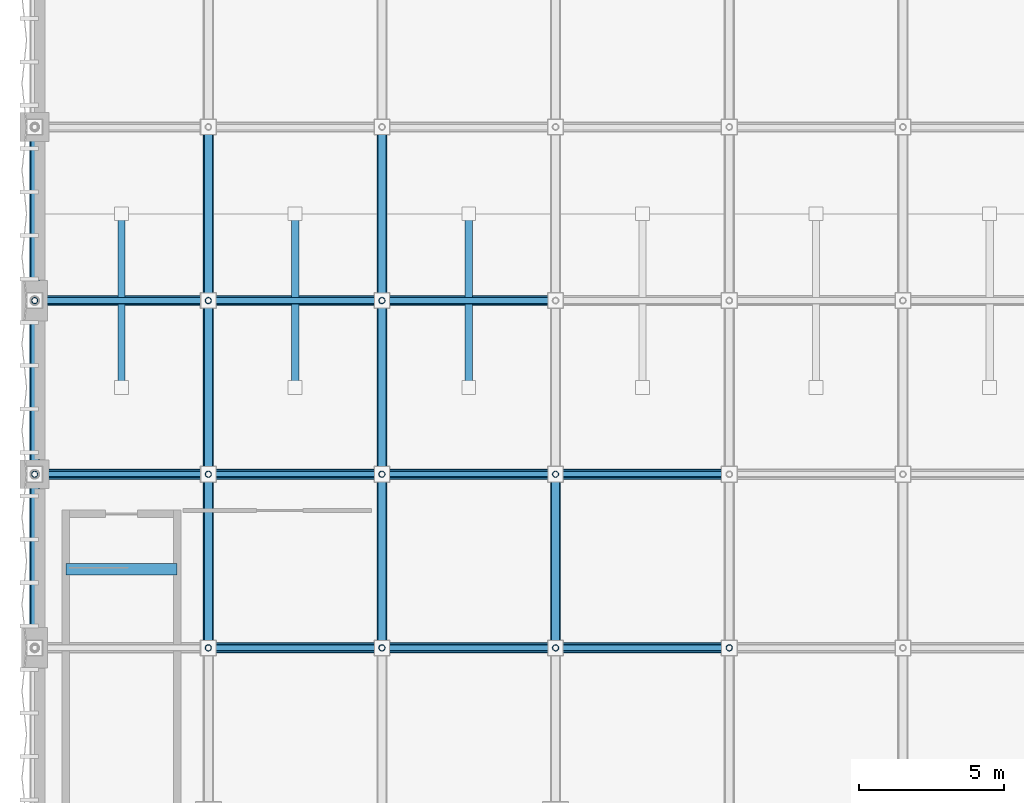
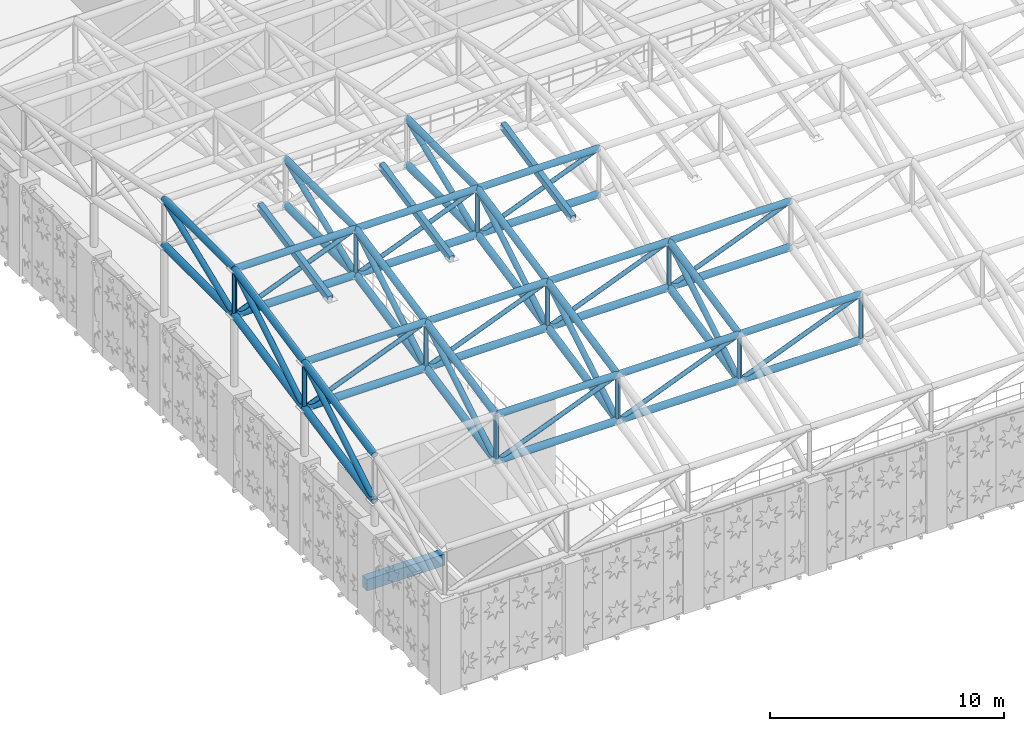
# One storey, part 17 of 112: 74 members, 1 beam.
"""IFC4 building model written with IfcOpenShell, lengths in metres."""

from ifc_helpers import new_model, si_unit, direction, frame, origin, origin_2d, place, context, subcontext, project, spatial, rectangle, hollow_rectangle, hollow_circle, extrude, material, material_profile, profile_set, type_object, element, save


model = new_model("IFC4")

# Units and contexts
model_context = context("Model", 3, precision=1e-05, world=origin(), true_north=direction((0.0, 1.0)))
body_context = subcontext(model_context, "Body", "Model", "MODEL_VIEW")
ifc_project = project(units=[si_unit("LENGTHUNIT", "METRE"), si_unit("AREAUNIT", "SQUARE_METRE"), si_unit("VOLUMEUNIT", "CUBIC_METRE"), si_unit("PLANEANGLEUNIT", "RADIAN"), si_unit("MASSUNIT", "GRAM", prefix="KILO"), si_unit("THERMODYNAMICTEMPERATUREUNIT", "KELVIN"), si_unit("POWERUNIT", "WATT")], contexts=[model_context])

# Site, building, storey
site_placement = place(None, origin())
site = spatial("IfcSite", under=ifc_project, at=site_placement, CompositionType="ELEMENT")
building_placement = place(site_placement, origin())
building = spatial("IfcBuilding", under=site, at=building_placement, Name="Phaisarnlok Congress Hotel", CompositionType="ELEMENT")
storey_placement = place(building_placement, frame((0.0, 0.0, 19.800048828125)))
storey = spatial("IfcBuildingStorey", under=building, at=storey_placement, Name="L04", CompositionType="ELEMENT", Elevation=19.800048828125)

# Beam
ifc_material_1 = material(Name="Concrete C40/50", Category="concrete")
ifc_material_profile_1 = material_profile(ifc_material_1, rectangle(XDim=0.39990234375, YDim=0.60009765625, at=origin_2d()), Name="RC 400x600")
ifc_profile_set_1 = profile_set([ifc_material_profile_1], Name="Concrete C40/50")
beam_type = type_object("IfcBeamType", Name="BM-RC-400x600", PredefinedType="BEAM", material=ifc_profile_set_1)
beam_placement = place(storey_placement, frame((1.080078125, 50.719970703125, -0.300048828125), z_axis=(1.0, 0.0, 0.0), x_axis=(0.0, 1.0, 0.0)))
element("IfcBeam", 1, at=beam_placement, inside=storey, type_object=beam_type, Name="Stair landing header beam B-02 (STAIR-W L04)", PredefinedType="BEAM", context=body_context, shape_type="SweptSolid", body=[
    extrude(rectangle(XDim=0.39990234375, YDim=0.60009765625, at=origin_2d()), origin(), (0.0, 0.0, 1.0), 3.83984375),
])

# Members
ifc_material_2 = material(Name="Steel S355", Category="steel")
ifc_material_profile_2 = material_profile(ifc_material_2, hollow_circle(Radius=0.109619140625, WallThickness=0.012451171875, at=origin_2d()), Name="CHS 219.1x12.5")
ifc_profile_set_2 = profile_set([ifc_material_profile_2], Name="Steel S355")
member_type_1 = type_object("IfcMemberType", Name="MEM-BRC-CHS219", PredefinedType="BRACE", material=ifc_profile_set_2)
member_1_placement = place(storey_placement, frame((0.0, 54.0, 7.241455078125), z_axis=(0.0, 0.0, 1.0), x_axis=(1.0, 0.0, 0.0)))
element("IfcMember", 2, at=member_1_placement, inside=storey, type_object=member_type_1, Name="Congress Hall space frame vertical brace TB-02", PredefinedType="BRACE", context=body_context, shape_type="SweptSolid", body=[
    extrude(hollow_circle(Radius=0.109619140625, WallThickness=0.012451171875, at=origin_2d()), origin(), (0.0, 0.0, 1.0), 2.39990234375),
])
member_2_placement = place(storey_placement, frame((0.0, 54.0, 7.241455078125), z_axis=(0.928481901832, 0.0, 0.371377648723), x_axis=(0.0, 1.0, 0.0)))
element("IfcMember", 3, at=member_2_placement, inside=storey, type_object=member_type_1, Name="Congress Hall space frame web diagonal TB-02", PredefinedType="BRACE", context=body_context, shape_type="SweptSolid", body=[
    extrude(hollow_circle(Radius=0.109619140625, WallThickness=0.012451171875, at=origin_2d()), origin(), (0.0, 0.0, 1.0), 6.462158203125),
])
member_3_placement = place(storey_placement, frame((0.0, 60.0, 8.462158203125), z_axis=(0.0, 0.0, 1.0), x_axis=(1.0, 0.0, 0.0)))
element("IfcMember", 4, at=member_3_placement, inside=storey, type_object=member_type_1, Name="Congress Hall space frame vertical brace TB-02", PredefinedType="BRACE", context=body_context, shape_type="SweptSolid", body=[
    extrude(hollow_circle(Radius=0.109619140625, WallThickness=0.012451171875, at=origin_2d()), origin(), (0.0, 0.0, 1.0), 2.39990234375),
])
member_4_placement = place(storey_placement, frame((0.0, 60.0, 8.462158203125), z_axis=(0.928481901832, 0.0, 0.371377648723), x_axis=(0.0, 1.0, 0.0)))
element("IfcMember", 5, at=member_4_placement, inside=storey, type_object=member_type_1, Name="Congress Hall space frame web diagonal TB-02", PredefinedType="BRACE", context=body_context, shape_type="SweptSolid", body=[
    extrude(hollow_circle(Radius=0.109619140625, WallThickness=0.012451171875, at=origin_2d()), origin(), (0.0, 0.0, 1.0), 6.462158203125),
])
member_5_placement = place(storey_placement, frame((6.0, 48.0, 6.020751953125), z_axis=(0.0, 0.0, 1.0), x_axis=(1.0, 0.0, 0.0)))
element("IfcMember", 6, at=member_5_placement, inside=storey, type_object=member_type_1, Name="Congress Hall space frame vertical brace TB-02", PredefinedType="BRACE", context=body_context, shape_type="SweptSolid", body=[
    extrude(hollow_circle(Radius=0.109619140625, WallThickness=0.012451171875, at=origin_2d()), origin(), (0.0, 0.0, 1.0), 2.39990234375),
])
member_6_placement = place(storey_placement, frame((6.0, 48.0, 6.020751953125), z_axis=(0.928481901832, 0.0, 0.371377648723), x_axis=(0.0, 1.0, 0.0)))
element("IfcMember", 7, at=member_6_placement, inside=storey, type_object=member_type_1, Name="Congress Hall space frame web diagonal TB-02", PredefinedType="BRACE", context=body_context, shape_type="SweptSolid", body=[
    extrude(hollow_circle(Radius=0.109619140625, WallThickness=0.012451171875, at=origin_2d()), origin(), (0.0, 0.0, 1.0), 6.462158203125),
])
member_7_placement = place(storey_placement, frame((6.0, 54.0, 7.241455078125), z_axis=(0.0, 0.0, 1.0), x_axis=(1.0, 0.0, 0.0)))
element("IfcMember", 8, at=member_7_placement, inside=storey, type_object=member_type_1, Name="Congress Hall space frame vertical brace TB-02", PredefinedType="BRACE", context=body_context, shape_type="SweptSolid", body=[
    extrude(hollow_circle(Radius=0.109619140625, WallThickness=0.012451171875, at=origin_2d()), origin(), (0.0, 0.0, 1.0), 2.39990234375),
])
member_8_placement = place(storey_placement, frame((6.0, 54.0, 7.241455078125), z_axis=(0.928481901832, 0.0, 0.371377648723), x_axis=(0.0, 1.0, 0.0)))
element("IfcMember", 9, at=member_8_placement, inside=storey, type_object=member_type_1, Name="Congress Hall space frame web diagonal TB-02", PredefinedType="BRACE", context=body_context, shape_type="SweptSolid", body=[
    extrude(hollow_circle(Radius=0.109619140625, WallThickness=0.012451171875, at=origin_2d()), origin(), (0.0, 0.0, 1.0), 6.462158203125),
])
member_9_placement = place(storey_placement, frame((6.0, 60.0, 8.462158203125), z_axis=(0.0, 0.0, 1.0), x_axis=(1.0, 0.0, 0.0)))
element("IfcMember", 10, at=member_9_placement, inside=storey, type_object=member_type_1, Name="Congress Hall space frame vertical brace TB-02", PredefinedType="BRACE", context=body_context, shape_type="SweptSolid", body=[
    extrude(hollow_circle(Radius=0.109619140625, WallThickness=0.012451171875, at=origin_2d()), origin(), (0.0, 0.0, 1.0), 2.39990234375),
])
member_10_placement = place(storey_placement, frame((6.0, 60.0, 8.462158203125), z_axis=(0.928481901832, 0.0, 0.371377648723), x_axis=(0.0, 1.0, 0.0)))
element("IfcMember", 11, at=member_10_placement, inside=storey, type_object=member_type_1, Name="Congress Hall space frame web diagonal TB-02", PredefinedType="BRACE", context=body_context, shape_type="SweptSolid", body=[
    extrude(hollow_circle(Radius=0.109619140625, WallThickness=0.012451171875, at=origin_2d()), origin(), (0.0, 0.0, 1.0), 6.462158203125),
])
member_11_placement = place(storey_placement, frame((12.0, 48.0, 6.020751953125), z_axis=(0.0, 0.0, 1.0), x_axis=(1.0, 0.0, 0.0)))
element("IfcMember", 12, at=member_11_placement, inside=storey, type_object=member_type_1, Name="Congress Hall space frame vertical brace TB-02", PredefinedType="BRACE", context=body_context, shape_type="SweptSolid", body=[
    extrude(hollow_circle(Radius=0.109619140625, WallThickness=0.012451171875, at=origin_2d()), origin(), (0.0, 0.0, 1.0), 2.39990234375),
])
member_12_placement = place(storey_placement, frame((12.0, 48.0, 6.020751953125), z_axis=(0.928481901832, 0.0, 0.371377648723), x_axis=(0.0, 1.0, 0.0)))
element("IfcMember", 13, at=member_12_placement, inside=storey, type_object=member_type_1, Name="Congress Hall space frame web diagonal TB-02", PredefinedType="BRACE", context=body_context, shape_type="SweptSolid", body=[
    extrude(hollow_circle(Radius=0.109619140625, WallThickness=0.012451171875, at=origin_2d()), origin(), (0.0, 0.0, 1.0), 6.462158203125),
])
member_13_placement = place(storey_placement, frame((12.0, 54.0, 7.241455078125), z_axis=(0.0, 0.0, 1.0), x_axis=(1.0, 0.0, 0.0)))
element("IfcMember", 14, at=member_13_placement, inside=storey, type_object=member_type_1, Name="Congress Hall space frame vertical brace TB-02", PredefinedType="BRACE", context=body_context, shape_type="SweptSolid", body=[
    extrude(hollow_circle(Radius=0.109619140625, WallThickness=0.012451171875, at=origin_2d()), origin(), (0.0, 0.0, 1.0), 2.39990234375),
])
member_14_placement = place(storey_placement, frame((12.0, 54.0, 7.241455078125), z_axis=(0.928481901832, 0.0, 0.371377648723), x_axis=(0.0, 1.0, 0.0)))
element("IfcMember", 15, at=member_14_placement, inside=storey, type_object=member_type_1, Name="Congress Hall space frame web diagonal TB-02", PredefinedType="BRACE", context=body_context, shape_type="SweptSolid", body=[
    extrude(hollow_circle(Radius=0.109619140625, WallThickness=0.012451171875, at=origin_2d()), origin(), (0.0, 0.0, 1.0), 6.462158203125),
])
member_15_placement = place(storey_placement, frame((12.0, 60.0, 8.462158203125), z_axis=(0.0, 0.0, 1.0), x_axis=(1.0, 0.0, 0.0)))
element("IfcMember", 16, at=member_15_placement, inside=storey, type_object=member_type_1, Name="Congress Hall space frame vertical brace TB-02", PredefinedType="BRACE", context=body_context, shape_type="SweptSolid", body=[
    extrude(hollow_circle(Radius=0.109619140625, WallThickness=0.012451171875, at=origin_2d()), origin(), (0.0, 0.0, 1.0), 2.39990234375),
])
member_16_placement = place(storey_placement, frame((12.0, 60.0, 8.462158203125), z_axis=(0.928481901832, 0.0, 0.371377648723), x_axis=(0.0, 1.0, 0.0)))
element("IfcMember", 17, at=member_16_placement, inside=storey, type_object=member_type_1, Name="Congress Hall space frame web diagonal TB-02", PredefinedType="BRACE", context=body_context, shape_type="SweptSolid", body=[
    extrude(hollow_circle(Radius=0.109619140625, WallThickness=0.012451171875, at=origin_2d()), origin(), (0.0, 0.0, 1.0), 6.462158203125),
])
member_17_placement = place(storey_placement, frame((18.0, 48.0, 6.020751953125), z_axis=(0.0, 0.0, 1.0), x_axis=(1.0, 0.0, 0.0)))
element("IfcMember", 18, at=member_17_placement, inside=storey, type_object=member_type_1, Name="Congress Hall space frame vertical brace TB-02", PredefinedType="BRACE", context=body_context, shape_type="SweptSolid", body=[
    extrude(hollow_circle(Radius=0.109619140625, WallThickness=0.012451171875, at=origin_2d()), origin(), (0.0, 0.0, 1.0), 2.39990234375),
])
member_18_placement = place(storey_placement, frame((18.0, 48.0, 6.020751953125), z_axis=(0.928481901832, 0.0, 0.371377648723), x_axis=(0.0, 1.0, 0.0)))
element("IfcMember", 19, at=member_18_placement, inside=storey, type_object=member_type_1, Name="Congress Hall space frame web diagonal TB-02", PredefinedType="BRACE", context=body_context, shape_type="SweptSolid", body=[
    extrude(hollow_circle(Radius=0.109619140625, WallThickness=0.012451171875, at=origin_2d()), origin(), (0.0, 0.0, 1.0), 6.462158203125),
])
member_19_placement = place(storey_placement, frame((18.0, 54.0, 7.241455078125), z_axis=(0.0, 0.0, 1.0), x_axis=(1.0, 0.0, 0.0)))
element("IfcMember", 20, at=member_19_placement, inside=storey, type_object=member_type_1, Name="Congress Hall space frame vertical brace TB-02", PredefinedType="BRACE", context=body_context, shape_type="SweptSolid", body=[
    extrude(hollow_circle(Radius=0.109619140625, WallThickness=0.012451171875, at=origin_2d()), origin(), (0.0, 0.0, 1.0), 2.39990234375),
])
member_20_placement = place(storey_placement, frame((18.0, 54.0, 7.241455078125), z_axis=(0.928481901832, 0.0, 0.371377648723), x_axis=(0.0, 1.0, 0.0)))
element("IfcMember", 21, at=member_20_placement, inside=storey, type_object=member_type_1, Name="Congress Hall space frame web diagonal TB-02", PredefinedType="BRACE", context=body_context, shape_type="SweptSolid", body=[
    extrude(hollow_circle(Radius=0.109619140625, WallThickness=0.012451171875, at=origin_2d()), origin(), (0.0, 0.0, 1.0), 6.462158203125),
])
member_21_placement = place(storey_placement, frame((24.0, 48.0, 6.020751953125), z_axis=(0.0, 0.0, 1.0), x_axis=(1.0, 0.0, 0.0)))
element("IfcMember", 22, at=member_21_placement, inside=storey, type_object=member_type_1, Name="Congress Hall space frame vertical brace TB-02", PredefinedType="BRACE", context=body_context, shape_type="SweptSolid", body=[
    extrude(hollow_circle(Radius=0.109619140625, WallThickness=0.012451171875, at=origin_2d()), origin(), (0.0, 0.0, 1.0), 2.39990234375),
])
ifc_material_profile_3 = material_profile(ifc_material_2, hollow_circle(Radius=0.136474609375, WallThickness=0.01611328125, at=origin_2d()), Name="CHS 273x16")
ifc_profile_set_3 = profile_set([ifc_material_profile_3], Name="Steel S355")
member_type_2 = type_object("IfcMemberType", Name="MEM-BRC-CHS273", PredefinedType="BRACE", material=ifc_profile_set_3)
for number, where, z_axis, x_axis, name in (
    (23, (0.0, 48.0, 6.020751953125), (0.0, 0.856192975252, 0.516656161417), (-1.0, 0.0, 0.0), "Congress Hall space frame raking brace TB-03"),
    (24, (0.0, 54.0, 7.241455078125), (0.0, 0.856192975252, 0.516656161417), (-1.0, 0.0, 0.0), "Congress Hall space frame raking brace TB-03"),
):
    element("IfcMember", number, at=place(storey_placement, frame(where, z_axis=z_axis, x_axis=x_axis)), inside=storey, type_object=member_type_2, Name=name, PredefinedType="BRACE", context=body_context, shape_type="SweptSolid", body=[
        extrude(hollow_circle(Radius=0.136474609375, WallThickness=0.01611328125, at=origin_2d()), origin(), (0.0, 0.0, 1.0), 7.0078125),
    ])
member_22_placement = place(storey_placement, frame((0.0, 60.0, 8.462158203125), z_axis=(0.0, 0.928481901832, 0.371377648723), x_axis=(-1.0, 0.0, 0.0)))
element("IfcMember", 25, at=member_22_placement, inside=storey, type_object=member_type_2, Name="Congress Hall space frame raking brace TB-03", PredefinedType="BRACE", context=body_context, shape_type="SweptSolid", body=[
    extrude(hollow_circle(Radius=0.136474609375, WallThickness=0.01611328125, at=origin_2d()), origin(), (0.0, 0.0, 1.0), 6.462158203125),
])
for number, where, z_axis, x_axis, name in (
    (26, (6.0, 48.0, 6.020751953125), (0.0, 0.856192975252, 0.516656161417), (-1.0, 0.0, 0.0), "Congress Hall space frame raking brace TB-03"),
    (27, (6.0, 54.0, 7.241455078125), (0.0, 0.856192975252, 0.516656161417), (-1.0, 0.0, 0.0), "Congress Hall space frame raking brace TB-03"),
):
    element("IfcMember", number, at=place(storey_placement, frame(where, z_axis=z_axis, x_axis=x_axis)), inside=storey, type_object=member_type_2, Name=name, PredefinedType="BRACE", context=body_context, shape_type="SweptSolid", body=[
        extrude(hollow_circle(Radius=0.136474609375, WallThickness=0.01611328125, at=origin_2d()), origin(), (0.0, 0.0, 1.0), 7.0078125),
    ])
member_23_placement = place(storey_placement, frame((6.0, 60.0, 8.462158203125), z_axis=(0.0, 0.928481901832, 0.371377648723), x_axis=(-1.0, 0.0, 0.0)))
element("IfcMember", 28, at=member_23_placement, inside=storey, type_object=member_type_2, Name="Congress Hall space frame raking brace TB-03", PredefinedType="BRACE", context=body_context, shape_type="SweptSolid", body=[
    extrude(hollow_circle(Radius=0.136474609375, WallThickness=0.01611328125, at=origin_2d()), origin(), (0.0, 0.0, 1.0), 6.462158203125),
])
for number, where, z_axis, x_axis, name in (
    (29, (12.0, 48.0, 6.020751953125), (0.0, 0.856192975252, 0.516656161417), (-1.0, 0.0, 0.0), "Congress Hall space frame raking brace TB-03"),
    (30, (12.0, 54.0, 7.241455078125), (0.0, 0.856192975252, 0.516656161417), (-1.0, 0.0, 0.0), "Congress Hall space frame raking brace TB-03"),
):
    element("IfcMember", number, at=place(storey_placement, frame(where, z_axis=z_axis, x_axis=x_axis)), inside=storey, type_object=member_type_2, Name=name, PredefinedType="BRACE", context=body_context, shape_type="SweptSolid", body=[
        extrude(hollow_circle(Radius=0.136474609375, WallThickness=0.01611328125, at=origin_2d()), origin(), (0.0, 0.0, 1.0), 7.0078125),
    ])
member_24_placement = place(storey_placement, frame((12.0, 60.0, 8.462158203125), z_axis=(0.0, 0.928481901832, 0.371377648723), x_axis=(-1.0, 0.0, 0.0)))
element("IfcMember", 31, at=member_24_placement, inside=storey, type_object=member_type_2, Name="Congress Hall space frame raking brace TB-03", PredefinedType="BRACE", context=body_context, shape_type="SweptSolid", body=[
    extrude(hollow_circle(Radius=0.136474609375, WallThickness=0.01611328125, at=origin_2d()), origin(), (0.0, 0.0, 1.0), 6.462158203125),
])
member_25_placement = place(storey_placement, frame((18.0, 48.0, 6.020751953125), z_axis=(0.0, 0.856192975252, 0.516656161417), x_axis=(-1.0, 0.0, 0.0)))
element("IfcMember", 32, at=member_25_placement, inside=storey, type_object=member_type_2, Name="Congress Hall space frame raking brace TB-03", PredefinedType="BRACE", context=body_context, shape_type="SweptSolid", body=[
    extrude(hollow_circle(Radius=0.136474609375, WallThickness=0.01611328125, at=origin_2d()), origin(), (0.0, 0.0, 1.0), 7.0078125),
])
ifc_material_profile_4 = material_profile(ifc_material_2, hollow_circle(Radius=0.161865234375, WallThickness=0.01611328125, at=origin_2d()), Name="CHS 323.9x16")
ifc_profile_set_4 = profile_set([ifc_material_profile_4], Name="Steel S355")
member_type_3 = type_object("IfcMemberType", Name="MEM-CHD-CHS324", PredefinedType="CHORD", material=ifc_profile_set_4)
member_26_placement = place(storey_placement, frame((0.0, 48.0, 8.420654296875), z_axis=(0.0, 0.979925045119, 0.199366260807), x_axis=(-1.0, 0.0, 0.0)))
element("IfcMember", 33, at=member_26_placement, inside=storey, type_object=member_type_3, Name="Congress Hall space frame top chord TC-02", PredefinedType="CHORD", context=body_context, shape_type="SweptSolid", body=[
    extrude(hollow_circle(Radius=0.161865234375, WallThickness=0.01611328125, at=origin_2d()), origin(), (0.0, 0.0, 1.0), 6.122802734375),
])
member_27_placement = place(storey_placement, frame((0.0, 54.0, 9.641357421875), z_axis=(1.0, 0.0, 0.0), x_axis=(0.0, 1.0, 0.0)))
element("IfcMember", 34, at=member_27_placement, inside=storey, type_object=member_type_3, Name="Congress Hall space frame top chord TC-02", PredefinedType="CHORD", context=body_context, shape_type="SweptSolid", body=[
    extrude(hollow_circle(Radius=0.161865234375, WallThickness=0.01611328125, at=origin_2d()), origin(), (0.0, 0.0, 1.0), 6.0),
])
member_28_placement = place(storey_placement, frame((0.0, 54.0, 9.641357421875), z_axis=(0.0, 0.979925045119, 0.199366260807), x_axis=(-1.0, 0.0, 0.0)))
element("IfcMember", 35, at=member_28_placement, inside=storey, type_object=member_type_3, Name="Congress Hall space frame top chord TC-02", PredefinedType="CHORD", context=body_context, shape_type="SweptSolid", body=[
    extrude(hollow_circle(Radius=0.161865234375, WallThickness=0.01611328125, at=origin_2d()), origin(), (0.0, 0.0, 1.0), 6.122802734375),
])
for number, where, z_axis, x_axis, name in (
    (36, (0.0, 60.0, 10.862060546875), (1.0, 0.0, 0.0), (0.0, 1.0, 0.0), "Congress Hall space frame top chord TC-02"),
    (37, (0.0, 60.0, 10.862060546875), (0.0, 1.0, 0.0), (-1.0, 0.0, 0.0), "Congress Hall space frame top chord TC-02"),
    (38, (6.0, 48.0, 8.420654296875), (1.0, 0.0, 0.0), (0.0, 1.0, 0.0), "Congress Hall space frame top chord TC-02"),
):
    element("IfcMember", number, at=place(storey_placement, frame(where, z_axis=z_axis, x_axis=x_axis)), inside=storey, type_object=member_type_3, Name=name, PredefinedType="CHORD", context=body_context, shape_type="SweptSolid", body=[
        extrude(hollow_circle(Radius=0.161865234375, WallThickness=0.01611328125, at=origin_2d()), origin(), (0.0, 0.0, 1.0), 6.0),
    ])
member_29_placement = place(storey_placement, frame((6.0, 48.0, 8.420654296875), z_axis=(0.0, 0.979925045119, 0.199366260807), x_axis=(-1.0, 0.0, 0.0)))
element("IfcMember", 39, at=member_29_placement, inside=storey, type_object=member_type_3, Name="Congress Hall space frame top chord TC-02", PredefinedType="CHORD", context=body_context, shape_type="SweptSolid", body=[
    extrude(hollow_circle(Radius=0.161865234375, WallThickness=0.01611328125, at=origin_2d()), origin(), (0.0, 0.0, 1.0), 6.122802734375),
])
member_30_placement = place(storey_placement, frame((6.0, 54.0, 9.641357421875), z_axis=(1.0, 0.0, 0.0), x_axis=(0.0, 1.0, 0.0)))
element("IfcMember", 40, at=member_30_placement, inside=storey, type_object=member_type_3, Name="Congress Hall space frame top chord TC-02", PredefinedType="CHORD", context=body_context, shape_type="SweptSolid", body=[
    extrude(hollow_circle(Radius=0.161865234375, WallThickness=0.01611328125, at=origin_2d()), origin(), (0.0, 0.0, 1.0), 6.0),
])
member_31_placement = place(storey_placement, frame((6.0, 54.0, 9.641357421875), z_axis=(0.0, 0.979925045119, 0.199366260807), x_axis=(-1.0, 0.0, 0.0)))
element("IfcMember", 41, at=member_31_placement, inside=storey, type_object=member_type_3, Name="Congress Hall space frame top chord TC-02", PredefinedType="CHORD", context=body_context, shape_type="SweptSolid", body=[
    extrude(hollow_circle(Radius=0.161865234375, WallThickness=0.01611328125, at=origin_2d()), origin(), (0.0, 0.0, 1.0), 6.122802734375),
])
for number, where, z_axis, x_axis, name in (
    (42, (6.0, 60.0, 10.862060546875), (1.0, 0.0, 0.0), (0.0, 1.0, 0.0), "Congress Hall space frame top chord TC-02"),
    (43, (6.0, 60.0, 10.862060546875), (0.0, 1.0, 0.0), (-1.0, 0.0, 0.0), "Congress Hall space frame top chord TC-02"),
    (44, (12.0, 48.0, 8.420654296875), (1.0, 0.0, 0.0), (0.0, 1.0, 0.0), "Congress Hall space frame top chord TC-02"),
):
    element("IfcMember", number, at=place(storey_placement, frame(where, z_axis=z_axis, x_axis=x_axis)), inside=storey, type_object=member_type_3, Name=name, PredefinedType="CHORD", context=body_context, shape_type="SweptSolid", body=[
        extrude(hollow_circle(Radius=0.161865234375, WallThickness=0.01611328125, at=origin_2d()), origin(), (0.0, 0.0, 1.0), 6.0),
    ])
member_32_placement = place(storey_placement, frame((12.0, 48.0, 8.420654296875), z_axis=(0.0, 0.979925045119, 0.199366260807), x_axis=(-1.0, 0.0, 0.0)))
element("IfcMember", 45, at=member_32_placement, inside=storey, type_object=member_type_3, Name="Congress Hall space frame top chord TC-02", PredefinedType="CHORD", context=body_context, shape_type="SweptSolid", body=[
    extrude(hollow_circle(Radius=0.161865234375, WallThickness=0.01611328125, at=origin_2d()), origin(), (0.0, 0.0, 1.0), 6.122802734375),
])
member_33_placement = place(storey_placement, frame((12.0, 54.0, 9.641357421875), z_axis=(1.0, 0.0, 0.0), x_axis=(0.0, 1.0, 0.0)))
element("IfcMember", 46, at=member_33_placement, inside=storey, type_object=member_type_3, Name="Congress Hall space frame top chord TC-02", PredefinedType="CHORD", context=body_context, shape_type="SweptSolid", body=[
    extrude(hollow_circle(Radius=0.161865234375, WallThickness=0.01611328125, at=origin_2d()), origin(), (0.0, 0.0, 1.0), 6.0),
])
member_34_placement = place(storey_placement, frame((12.0, 54.0, 9.641357421875), z_axis=(0.0, 0.979925045119, 0.199366260807), x_axis=(-1.0, 0.0, 0.0)))
element("IfcMember", 47, at=member_34_placement, inside=storey, type_object=member_type_3, Name="Congress Hall space frame top chord TC-02", PredefinedType="CHORD", context=body_context, shape_type="SweptSolid", body=[
    extrude(hollow_circle(Radius=0.161865234375, WallThickness=0.01611328125, at=origin_2d()), origin(), (0.0, 0.0, 1.0), 6.122802734375),
])
for number, where, z_axis, x_axis, name in (
    (48, (12.0, 60.0, 10.862060546875), (1.0, 0.0, 0.0), (0.0, 1.0, 0.0), "Congress Hall space frame top chord TC-02"),
    (49, (12.0, 60.0, 10.862060546875), (0.0, 1.0, 0.0), (-1.0, 0.0, 0.0), "Congress Hall space frame top chord TC-02"),
    (50, (18.0, 48.0, 8.420654296875), (1.0, 0.0, 0.0), (0.0, 1.0, 0.0), "Congress Hall space frame top chord TC-02"),
):
    element("IfcMember", number, at=place(storey_placement, frame(where, z_axis=z_axis, x_axis=x_axis)), inside=storey, type_object=member_type_3, Name=name, PredefinedType="CHORD", context=body_context, shape_type="SweptSolid", body=[
        extrude(hollow_circle(Radius=0.161865234375, WallThickness=0.01611328125, at=origin_2d()), origin(), (0.0, 0.0, 1.0), 6.0),
    ])
member_35_placement = place(storey_placement, frame((18.0, 48.0, 8.420654296875), z_axis=(0.0, 0.979925045119, 0.199366260807), x_axis=(-1.0, 0.0, 0.0)))
element("IfcMember", 51, at=member_35_placement, inside=storey, type_object=member_type_3, Name="Congress Hall space frame top chord TC-02", PredefinedType="CHORD", context=body_context, shape_type="SweptSolid", body=[
    extrude(hollow_circle(Radius=0.161865234375, WallThickness=0.01611328125, at=origin_2d()), origin(), (0.0, 0.0, 1.0), 6.122802734375),
])
member_36_placement = place(storey_placement, frame((18.0, 54.0, 9.641357421875), z_axis=(1.0, 0.0, 0.0), x_axis=(0.0, 1.0, 0.0)))
element("IfcMember", 52, at=member_36_placement, inside=storey, type_object=member_type_3, Name="Congress Hall space frame top chord TC-02", PredefinedType="CHORD", context=body_context, shape_type="SweptSolid", body=[
    extrude(hollow_circle(Radius=0.161865234375, WallThickness=0.01611328125, at=origin_2d()), origin(), (0.0, 0.0, 1.0), 6.0),
])
ifc_material_profile_5 = material_profile(ifc_material_2, hollow_circle(Radius=0.177734375, WallThickness=0.02001953125, at=origin_2d()), Name="CHS 355.6x20")
ifc_profile_set_5 = profile_set([ifc_material_profile_5], Name="Steel S355")
member_type_4 = type_object("IfcMemberType", Name="MEM-CHD-CHS356", PredefinedType="CHORD", material=ifc_profile_set_5)
member_37_placement = place(storey_placement, frame((0.0, 48.0, 6.020751953125), z_axis=(0.0, 0.979925045119, 0.199366260807), x_axis=(-1.0, 0.0, 0.0)))
element("IfcMember", 53, at=member_37_placement, inside=storey, type_object=member_type_4, Name="Congress Hall space frame bottom chord TC-01", PredefinedType="CHORD", context=body_context, shape_type="SweptSolid", body=[
    extrude(hollow_circle(Radius=0.177734375, WallThickness=0.02001953125, at=origin_2d()), origin(), (0.0, 0.0, 1.0), 6.122802734375),
])
member_38_placement = place(storey_placement, frame((0.0, 54.0, 7.241455078125), z_axis=(1.0, 0.0, 0.0), x_axis=(0.0, 1.0, 0.0)))
element("IfcMember", 54, at=member_38_placement, inside=storey, type_object=member_type_4, Name="Congress Hall space frame bottom chord TC-01", PredefinedType="CHORD", context=body_context, shape_type="SweptSolid", body=[
    extrude(hollow_circle(Radius=0.177734375, WallThickness=0.02001953125, at=origin_2d()), origin(), (0.0, 0.0, 1.0), 6.0),
])
member_39_placement = place(storey_placement, frame((0.0, 54.0, 7.241455078125), z_axis=(0.0, 0.979925045119, 0.199366260807), x_axis=(-1.0, 0.0, 0.0)))
element("IfcMember", 55, at=member_39_placement, inside=storey, type_object=member_type_4, Name="Congress Hall space frame bottom chord TC-01", PredefinedType="CHORD", context=body_context, shape_type="SweptSolid", body=[
    extrude(hollow_circle(Radius=0.177734375, WallThickness=0.02001953125, at=origin_2d()), origin(), (0.0, 0.0, 1.0), 6.122802734375),
])
for number, where, z_axis, x_axis, name in (
    (56, (0.0, 60.0, 8.462158203125), (1.0, 0.0, 0.0), (0.0, 1.0, 0.0), "Congress Hall space frame bottom chord TC-01"),
    (57, (0.0, 60.0, 8.462158203125), (0.0, 1.0, 0.0), (-1.0, 0.0, 0.0), "Congress Hall space frame bottom chord TC-01"),
    (58, (6.0, 48.0, 6.020751953125), (1.0, 0.0, 0.0), (0.0, 1.0, 0.0), "Congress Hall space frame bottom chord TC-01"),
):
    element("IfcMember", number, at=place(storey_placement, frame(where, z_axis=z_axis, x_axis=x_axis)), inside=storey, type_object=member_type_4, Name=name, PredefinedType="CHORD", context=body_context, shape_type="SweptSolid", body=[
        extrude(hollow_circle(Radius=0.177734375, WallThickness=0.02001953125, at=origin_2d()), origin(), (0.0, 0.0, 1.0), 6.0),
    ])
member_40_placement = place(storey_placement, frame((6.0, 48.0, 6.020751953125), z_axis=(0.0, 0.979925045119, 0.199366260807), x_axis=(-1.0, 0.0, 0.0)))
element("IfcMember", 59, at=member_40_placement, inside=storey, type_object=member_type_4, Name="Congress Hall space frame bottom chord TC-01", PredefinedType="CHORD", context=body_context, shape_type="SweptSolid", body=[
    extrude(hollow_circle(Radius=0.177734375, WallThickness=0.02001953125, at=origin_2d()), origin(), (0.0, 0.0, 1.0), 6.122802734375),
])
member_41_placement = place(storey_placement, frame((6.0, 54.0, 7.241455078125), z_axis=(1.0, 0.0, 0.0), x_axis=(0.0, 1.0, 0.0)))
element("IfcMember", 60, at=member_41_placement, inside=storey, type_object=member_type_4, Name="Congress Hall space frame bottom chord TC-01", PredefinedType="CHORD", context=body_context, shape_type="SweptSolid", body=[
    extrude(hollow_circle(Radius=0.177734375, WallThickness=0.02001953125, at=origin_2d()), origin(), (0.0, 0.0, 1.0), 6.0),
])
member_42_placement = place(storey_placement, frame((6.0, 54.0, 7.241455078125), z_axis=(0.0, 0.979925045119, 0.199366260807), x_axis=(-1.0, 0.0, 0.0)))
element("IfcMember", 61, at=member_42_placement, inside=storey, type_object=member_type_4, Name="Congress Hall space frame bottom chord TC-01", PredefinedType="CHORD", context=body_context, shape_type="SweptSolid", body=[
    extrude(hollow_circle(Radius=0.177734375, WallThickness=0.02001953125, at=origin_2d()), origin(), (0.0, 0.0, 1.0), 6.122802734375),
])
for number, where, z_axis, x_axis, name in (
    (62, (6.0, 60.0, 8.462158203125), (1.0, 0.0, 0.0), (0.0, 1.0, 0.0), "Congress Hall space frame bottom chord TC-01"),
    (63, (6.0, 60.0, 8.462158203125), (0.0, 1.0, 0.0), (-1.0, 0.0, 0.0), "Congress Hall space frame bottom chord TC-01"),
    (64, (12.0, 48.0, 6.020751953125), (1.0, 0.0, 0.0), (0.0, 1.0, 0.0), "Congress Hall space frame bottom chord TC-01"),
):
    element("IfcMember", number, at=place(storey_placement, frame(where, z_axis=z_axis, x_axis=x_axis)), inside=storey, type_object=member_type_4, Name=name, PredefinedType="CHORD", context=body_context, shape_type="SweptSolid", body=[
        extrude(hollow_circle(Radius=0.177734375, WallThickness=0.02001953125, at=origin_2d()), origin(), (0.0, 0.0, 1.0), 6.0),
    ])
member_43_placement = place(storey_placement, frame((12.0, 48.0, 6.020751953125), z_axis=(0.0, 0.979925045119, 0.199366260807), x_axis=(-1.0, 0.0, 0.0)))
element("IfcMember", 65, at=member_43_placement, inside=storey, type_object=member_type_4, Name="Congress Hall space frame bottom chord TC-01", PredefinedType="CHORD", context=body_context, shape_type="SweptSolid", body=[
    extrude(hollow_circle(Radius=0.177734375, WallThickness=0.02001953125, at=origin_2d()), origin(), (0.0, 0.0, 1.0), 6.122802734375),
])
member_44_placement = place(storey_placement, frame((12.0, 54.0, 7.241455078125), z_axis=(1.0, 0.0, 0.0), x_axis=(0.0, 1.0, 0.0)))
element("IfcMember", 66, at=member_44_placement, inside=storey, type_object=member_type_4, Name="Congress Hall space frame bottom chord TC-01", PredefinedType="CHORD", context=body_context, shape_type="SweptSolid", body=[
    extrude(hollow_circle(Radius=0.177734375, WallThickness=0.02001953125, at=origin_2d()), origin(), (0.0, 0.0, 1.0), 6.0),
])
member_45_placement = place(storey_placement, frame((12.0, 54.0, 7.241455078125), z_axis=(0.0, 0.979925045119, 0.199366260807), x_axis=(-1.0, 0.0, 0.0)))
element("IfcMember", 67, at=member_45_placement, inside=storey, type_object=member_type_4, Name="Congress Hall space frame bottom chord TC-01", PredefinedType="CHORD", context=body_context, shape_type="SweptSolid", body=[
    extrude(hollow_circle(Radius=0.177734375, WallThickness=0.02001953125, at=origin_2d()), origin(), (0.0, 0.0, 1.0), 6.122802734375),
])
for number, where, z_axis, x_axis, name in (
    (68, (12.0, 60.0, 8.462158203125), (1.0, 0.0, 0.0), (0.0, 1.0, 0.0), "Congress Hall space frame bottom chord TC-01"),
    (69, (12.0, 60.0, 8.462158203125), (0.0, 1.0, 0.0), (-1.0, 0.0, 0.0), "Congress Hall space frame bottom chord TC-01"),
    (70, (18.0, 48.0, 6.020751953125), (1.0, 0.0, 0.0), (0.0, 1.0, 0.0), "Congress Hall space frame bottom chord TC-01"),
):
    element("IfcMember", number, at=place(storey_placement, frame(where, z_axis=z_axis, x_axis=x_axis)), inside=storey, type_object=member_type_4, Name=name, PredefinedType="CHORD", context=body_context, shape_type="SweptSolid", body=[
        extrude(hollow_circle(Radius=0.177734375, WallThickness=0.02001953125, at=origin_2d()), origin(), (0.0, 0.0, 1.0), 6.0),
    ])
member_46_placement = place(storey_placement, frame((18.0, 48.0, 6.020751953125), z_axis=(0.0, 0.979925045119, 0.199366260807), x_axis=(-1.0, 0.0, 0.0)))
element("IfcMember", 71, at=member_46_placement, inside=storey, type_object=member_type_4, Name="Congress Hall space frame bottom chord TC-01", PredefinedType="CHORD", context=body_context, shape_type="SweptSolid", body=[
    extrude(hollow_circle(Radius=0.177734375, WallThickness=0.02001953125, at=origin_2d()), origin(), (0.0, 0.0, 1.0), 6.122802734375),
])
member_47_placement = place(storey_placement, frame((18.0, 54.0, 7.241455078125), z_axis=(1.0, 0.0, 0.0), x_axis=(0.0, 1.0, 0.0)))
element("IfcMember", 72, at=member_47_placement, inside=storey, type_object=member_type_4, Name="Congress Hall space frame bottom chord TC-01", PredefinedType="CHORD", context=body_context, shape_type="SweptSolid", body=[
    extrude(hollow_circle(Radius=0.177734375, WallThickness=0.02001953125, at=origin_2d()), origin(), (0.0, 0.0, 1.0), 6.0),
])
ifc_material_profile_6 = material_profile(ifc_material_2, hollow_rectangle(XDim=0.25, YDim=0.35009765625, WallThickness=0.01611328125, at=origin_2d()), Name="RHS 350x250x16")
ifc_profile_set_6 = profile_set([ifc_material_profile_6], Name="Steel S355")
member_type_5 = type_object("IfcMemberType", Name="MEM-PUR-RHS350", PredefinedType="PURLIN", material=ifc_profile_set_6)
for number, where, z_axis, x_axis, name in (
    (73, (3.0, 57.0, 10.0517578125), (0.0, 0.979925045119, 0.199366260807), (-1.0, 0.0, 0.0), "Congress Hall ridge purlin member PR-M1"),
    (74, (9.0, 57.0, 10.0517578125), (0.0, 0.979925045119, 0.199366260807), (-1.0, 0.0, 0.0), "Congress Hall ridge purlin member PR-M1"),
    (75, (15.0, 57.0, 10.0517578125), (0.0, 0.979925045119, 0.199366260807), (-1.0, 0.0, 0.0), "Congress Hall ridge purlin member PR-M1"),
):
    element("IfcMember", number, at=place(storey_placement, frame(where, z_axis=z_axis, x_axis=x_axis)), inside=storey, type_object=member_type_5, Name=name, PredefinedType="PURLIN", context=body_context, shape_type="SweptSolid", body=[
        extrude(hollow_rectangle(XDim=0.25, YDim=0.35009765625, WallThickness=0.01611328125, at=origin_2d()), origin(), (0.0, 0.0, 1.0), 6.122802734375),
    ])

save(model, "model.ifc")
